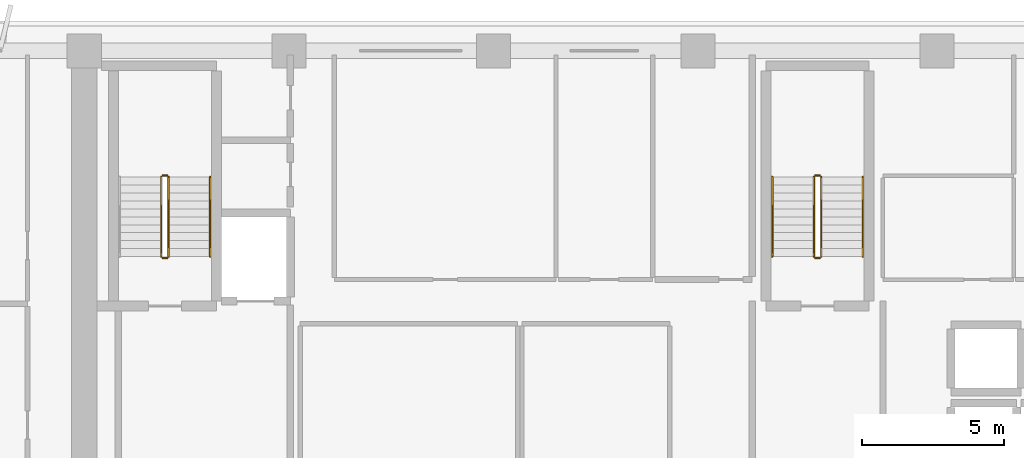
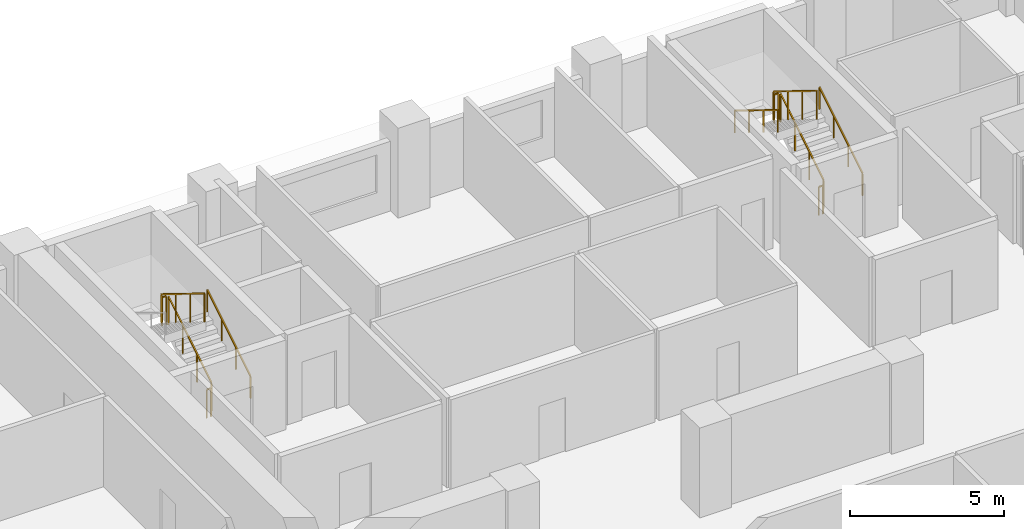
# One storey, part 12 of 14: 11 railings.
"""IFC4 building model written with IfcOpenShell, lengths in metres."""

from ifc_helpers import new_model, si_unit, direction, frame, origin, origin_2d, place, context, subcontext, project, spatial, rectangle, extrude, material, type_object, element, save


model = new_model("IFC4")

# Units and contexts
model_context = context("Model", 3, precision=1e-05, world=origin(), true_north=direction((0.0, 1.0)))
body_context = subcontext(model_context, "Body", "Model", "MODEL_VIEW")
ifc_project = project(units=[si_unit("LENGTHUNIT", "METRE"), si_unit("AREAUNIT", "SQUARE_METRE"), si_unit("VOLUMEUNIT", "CUBIC_METRE"), si_unit("PLANEANGLEUNIT", "RADIAN"), si_unit("MASSUNIT", "GRAM", prefix="KILO")], contexts=[model_context])

# Site, building, storey
site_placement = place(None, origin())
site = spatial("IfcSite", under=ifc_project, at=site_placement, CompositionType="ELEMENT")
building_placement = place(site_placement, origin())
building = spatial("IfcBuilding", under=site, at=building_placement, Name="Kaelvorn Grand Hotel", CompositionType="ELEMENT")
storey_placement = place(building_placement, frame((0.0, 0.0, 201.550048828125)))
storey = spatial("IfcBuildingStorey", under=building, at=storey_placement, Name="L49", CompositionType="ELEMENT", Elevation=201.550048828125)

# Railings
ifc_material = material(Name="Stainless Steel", Category="steel")
railing_type_1 = type_object("IfcRailingType", Name="RL-HANDRAIL-900", PredefinedType="HANDRAIL", material=ifc_material)
for number, where, name in (
    (1, (20.6298828125, 41.760009765625, 0.172607421875), "L49 ST1 stair handrail 1"),
    (2, (43.590087890625, 41.760009765625, 0.172607421875), "L49 ST2 stair handrail 1"),
):
    element("IfcRailing", number, at=place(storey_placement, frame(where)), inside=storey, type_object=railing_type_1, Name=name, PredefinedType="HANDRAIL", context=body_context, shape_type="SweptSolid", body=[
        extrude(rectangle(XDim=0.048095703125, YDim=0.048095703125, at=origin_2d()), frame((0.0, 0.0, 0.8759765625), z_axis=(0.0, 0.851089632645, 0.525020415988), x_axis=(-1.0, 0.0, 0.0)), (0.0, 0.0, 1.0), 3.2900390625),
        extrude(rectangle(XDim=0.0419921875, YDim=0.0419921875, at=origin_2d()), origin(), (0.0, 0.0, 1.0), 0.851806640625),
        extrude(rectangle(XDim=0.0419921875, YDim=0.0419921875, at=origin_2d()), frame((0.0, 0.933349609375, 0.57568359375)), (0.0, 0.0, 1.0), 0.851806640625),
        extrude(rectangle(XDim=0.0419921875, YDim=0.0419921875, at=origin_2d()), frame((0.0, 1.86669921875, 1.151611328125)), (0.0, 0.0, 1.0), 0.851806640625),
        extrude(rectangle(XDim=0.0419921875, YDim=0.0419921875, at=origin_2d()), frame((0.0, 2.800048828125, 1.727294921875)), (0.0, 0.0, 1.0), 0.851806640625),
    ])
railing_1_placement = place(storey_placement, frame((40.409912109375, 44.56005859375, 2.07275390625)))
element("IfcRailing", 3, at=railing_1_placement, inside=storey, type_object=railing_type_1, Name="L49 ST2 stair handrail 2", PredefinedType="HANDRAIL", context=body_context, shape_type="SweptSolid", body=[
    extrude(rectangle(XDim=0.048095703125, YDim=0.048095703125, at=origin_2d()), frame((0.0, 0.0, 0.8759765625), z_axis=(0.0, -0.851089632645, 0.525020415988), x_axis=(1.0, 0.0, 0.0)), (0.0, 0.0, 1.0), 3.2900390625),
    extrude(rectangle(XDim=0.0419921875, YDim=0.0419921875, at=origin_2d()), origin(), (0.0, 0.0, 1.0), 0.851806640625),
    extrude(rectangle(XDim=0.0419921875, YDim=0.0419921875, at=origin_2d()), frame((0.0, -0.933349609375, 0.57568359375)), (0.0, 0.0, 1.0), 0.851806640625),
    extrude(rectangle(XDim=0.0419921875, YDim=0.0419921875, at=origin_2d()), frame((0.0, -1.86669921875, 1.151611328125)), (0.0, 0.0, 1.0), 0.851806640625),
    extrude(rectangle(XDim=0.0419921875, YDim=0.0419921875, at=origin_2d()), frame((0.0, -2.800048828125, 1.727294921875)), (0.0, 0.0, 1.0), 0.851806640625),
])
railing_type_2 = type_object("IfcRailingType", Name="RL-STAIR-GUARD-1150", PredefinedType="BALUSTRADE", material=ifc_material)
railing_2_placement = place(storey_placement, frame((19.169921875, 41.760009765625, 0.172607421875)))
element("IfcRailing", 4, at=railing_2_placement, inside=storey, type_object=railing_type_2, Name="L49 ST1 stair guard 1", PredefinedType="BALUSTRADE", context=body_context, shape_type="SweptSolid", body=[
    extrude(rectangle(XDim=0.048095703125, YDim=0.048095703125, at=origin_2d()), frame((0.0, 0.0, 1.1259765625), z_axis=(0.0, 0.851089632645, 0.525020415988), x_axis=(-1.0, 0.0, 0.0)), (0.0, 0.0, 1.0), 3.2900390625),
    extrude(rectangle(XDim=0.0419921875, YDim=0.0419921875, at=origin_2d()), origin(), (0.0, 0.0, 1.0), 1.101806640625),
    extrude(rectangle(XDim=0.0419921875, YDim=0.0419921875, at=origin_2d()), frame((0.0, 0.933349609375, 0.57568359375)), (0.0, 0.0, 1.0), 1.101806640625),
    extrude(rectangle(XDim=0.0419921875, YDim=0.0419921875, at=origin_2d()), frame((0.0, 1.86669921875, 1.151611328125)), (0.0, 0.0, 1.0), 1.101806640625),
    extrude(rectangle(XDim=0.0419921875, YDim=0.0419921875, at=origin_2d()), frame((0.0, 2.800048828125, 1.727294921875)), (0.0, 0.0, 1.0), 1.101806640625),
])
railing_3_placement = place(storey_placement, frame((19.1201171875, 44.610107421875, 1.89990234375)))
element("IfcRailing", 5, at=railing_3_placement, inside=storey, type_object=railing_type_2, Name="L49 ST1 stair guard 2", PredefinedType="BALUSTRADE", context=body_context, shape_type="SweptSolid", body=[
    extrude(rectangle(XDim=0.048095703125, YDim=0.048095703125, at=origin_2d()), frame((0.0, 0.0, 1.1259765625), z_axis=(-1.0, 0.0, 0.0), x_axis=(0.0, -1.0, 0.0)), (0.0, 0.0, 1.0), 0.16015625),
    extrude(rectangle(XDim=0.0419921875, YDim=0.0419921875, at=origin_2d()), origin(), (0.0, 0.0, 1.0), 1.101806640625),
    extrude(rectangle(XDim=0.0419921875, YDim=0.0419921875, at=origin_2d()), frame((-0.16015625, 0.0, 0.0)), (0.0, 0.0, 1.0), 1.101806640625),
])
railing_4_placement = place(storey_placement, frame((18.909912109375, 44.56005859375, 2.07275390625)))
element("IfcRailing", 6, at=railing_4_placement, inside=storey, type_object=railing_type_2, Name="L49 ST1 stair guard 3", PredefinedType="BALUSTRADE", context=body_context, shape_type="SweptSolid", body=[
    extrude(rectangle(XDim=0.048095703125, YDim=0.048095703125, at=origin_2d()), frame((0.0, 0.0, 1.1259765625), z_axis=(0.0, -0.851089632645, 0.525020415988), x_axis=(1.0, 0.0, 0.0)), (0.0, 0.0, 1.0), 3.2900390625),
    extrude(rectangle(XDim=0.0419921875, YDim=0.0419921875, at=origin_2d()), origin(), (0.0, 0.0, 1.0), 1.101806640625),
    extrude(rectangle(XDim=0.0419921875, YDim=0.0419921875, at=origin_2d()), frame((0.0, -0.933349609375, 0.57568359375)), (0.0, 0.0, 1.0), 1.101806640625),
    extrude(rectangle(XDim=0.0419921875, YDim=0.0419921875, at=origin_2d()), frame((0.0, -1.86669921875, 1.151611328125)), (0.0, 0.0, 1.0), 1.101806640625),
    extrude(rectangle(XDim=0.0419921875, YDim=0.0419921875, at=origin_2d()), frame((0.0, -2.800048828125, 1.727294921875)), (0.0, 0.0, 1.0), 1.101806640625),
])
railing_5_placement = place(storey_placement, frame((19.1201171875, 41.7099609375, 0.0)))
element("IfcRailing", 7, at=railing_5_placement, inside=storey, type_object=railing_type_2, Name="L49 ST1 stair guard 4", PredefinedType="BALUSTRADE", context=body_context, shape_type="SweptSolid", body=[
    extrude(rectangle(XDim=0.048095703125, YDim=0.048095703125, at=origin_2d()), frame((0.0, 0.0, 1.1259765625), z_axis=(-1.0, 0.0, 0.0), x_axis=(0.0, -1.0, 0.0)), (0.0, 0.0, 1.0), 0.16015625),
    extrude(rectangle(XDim=0.0419921875, YDim=0.0419921875, at=origin_2d()), origin(), (0.0, 0.0, 1.0), 1.101806640625),
    extrude(rectangle(XDim=0.0419921875, YDim=0.0419921875, at=origin_2d()), frame((-0.16015625, 0.0, 0.0)), (0.0, 0.0, 1.0), 1.101806640625),
])
railing_6_placement = place(storey_placement, frame((42.1298828125, 41.760009765625, 0.172607421875)))
element("IfcRailing", 8, at=railing_6_placement, inside=storey, type_object=railing_type_2, Name="L49 ST2 stair guard 1", PredefinedType="BALUSTRADE", context=body_context, shape_type="SweptSolid", body=[
    extrude(rectangle(XDim=0.048095703125, YDim=0.048095703125, at=origin_2d()), frame((0.0, 0.0, 1.1259765625), z_axis=(0.0, 0.851089632645, 0.525020415988), x_axis=(-1.0, 0.0, 0.0)), (0.0, 0.0, 1.0), 3.2900390625),
    extrude(rectangle(XDim=0.0419921875, YDim=0.0419921875, at=origin_2d()), origin(), (0.0, 0.0, 1.0), 1.101806640625),
    extrude(rectangle(XDim=0.0419921875, YDim=0.0419921875, at=origin_2d()), frame((0.0, 0.933349609375, 0.57568359375)), (0.0, 0.0, 1.0), 1.101806640625),
    extrude(rectangle(XDim=0.0419921875, YDim=0.0419921875, at=origin_2d()), frame((0.0, 1.86669921875, 1.151611328125)), (0.0, 0.0, 1.0), 1.101806640625),
    extrude(rectangle(XDim=0.0419921875, YDim=0.0419921875, at=origin_2d()), frame((0.0, 2.800048828125, 1.727294921875)), (0.0, 0.0, 1.0), 1.101806640625),
])
railing_7_placement = place(storey_placement, frame((42.080078125, 44.610107421875, 1.89990234375)))
element("IfcRailing", 9, at=railing_7_placement, inside=storey, type_object=railing_type_2, Name="L49 ST2 stair guard 2", PredefinedType="BALUSTRADE", context=body_context, shape_type="SweptSolid", body=[
    extrude(rectangle(XDim=0.048095703125, YDim=0.048095703125, at=origin_2d()), frame((0.0, 0.0, 1.1259765625), z_axis=(-1.0, 0.0, 0.0), x_axis=(0.0, -1.0, 0.0)), (0.0, 0.0, 1.0), 0.16015625),
    extrude(rectangle(XDim=0.0419921875, YDim=0.0419921875, at=origin_2d()), origin(), (0.0, 0.0, 1.0), 1.101806640625),
    extrude(rectangle(XDim=0.0419921875, YDim=0.0419921875, at=origin_2d()), frame((-0.16015625, 0.0, 0.0)), (0.0, 0.0, 1.0), 1.101806640625),
])
railing_8_placement = place(storey_placement, frame((41.8701171875, 44.56005859375, 2.07275390625)))
element("IfcRailing", 10, at=railing_8_placement, inside=storey, type_object=railing_type_2, Name="L49 ST2 stair guard 3", PredefinedType="BALUSTRADE", context=body_context, shape_type="SweptSolid", body=[
    extrude(rectangle(XDim=0.048095703125, YDim=0.048095703125, at=origin_2d()), frame((0.0, 0.0, 1.1259765625), z_axis=(0.0, -0.851089632645, 0.525020415988), x_axis=(1.0, 0.0, 0.0)), (0.0, 0.0, 1.0), 3.2900390625),
    extrude(rectangle(XDim=0.0419921875, YDim=0.0419921875, at=origin_2d()), origin(), (0.0, 0.0, 1.0), 1.101806640625),
    extrude(rectangle(XDim=0.0419921875, YDim=0.0419921875, at=origin_2d()), frame((0.0, -0.933349609375, 0.57568359375)), (0.0, 0.0, 1.0), 1.101806640625),
    extrude(rectangle(XDim=0.0419921875, YDim=0.0419921875, at=origin_2d()), frame((0.0, -1.86669921875, 1.151611328125)), (0.0, 0.0, 1.0), 1.101806640625),
    extrude(rectangle(XDim=0.0419921875, YDim=0.0419921875, at=origin_2d()), frame((0.0, -2.800048828125, 1.727294921875)), (0.0, 0.0, 1.0), 1.101806640625),
])
railing_9_placement = place(storey_placement, frame((42.080078125, 41.7099609375, 0.0)))
element("IfcRailing", 11, at=railing_9_placement, inside=storey, type_object=railing_type_2, Name="L49 ST2 stair guard 4", PredefinedType="BALUSTRADE", context=body_context, shape_type="SweptSolid", body=[
    extrude(rectangle(XDim=0.048095703125, YDim=0.048095703125, at=origin_2d()), frame((0.0, 0.0, 1.1259765625), z_axis=(-1.0, 0.0, 0.0), x_axis=(0.0, -1.0, 0.0)), (0.0, 0.0, 1.0), 0.16015625),
    extrude(rectangle(XDim=0.0419921875, YDim=0.0419921875, at=origin_2d()), origin(), (0.0, 0.0, 1.0), 1.101806640625),
    extrude(rectangle(XDim=0.0419921875, YDim=0.0419921875, at=origin_2d()), frame((-0.16015625, 0.0, 0.0)), (0.0, 0.0, 1.0), 1.101806640625),
])

save(model, "model.ifc")
